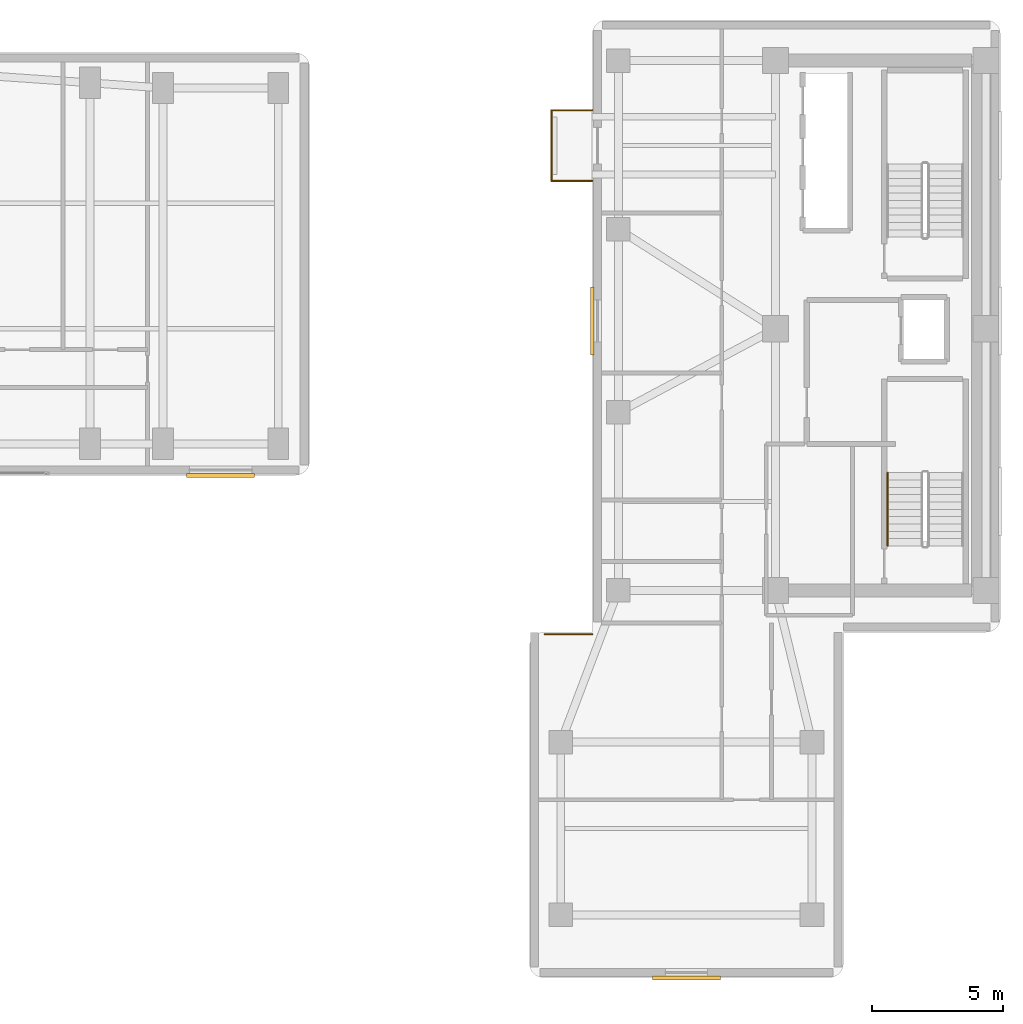
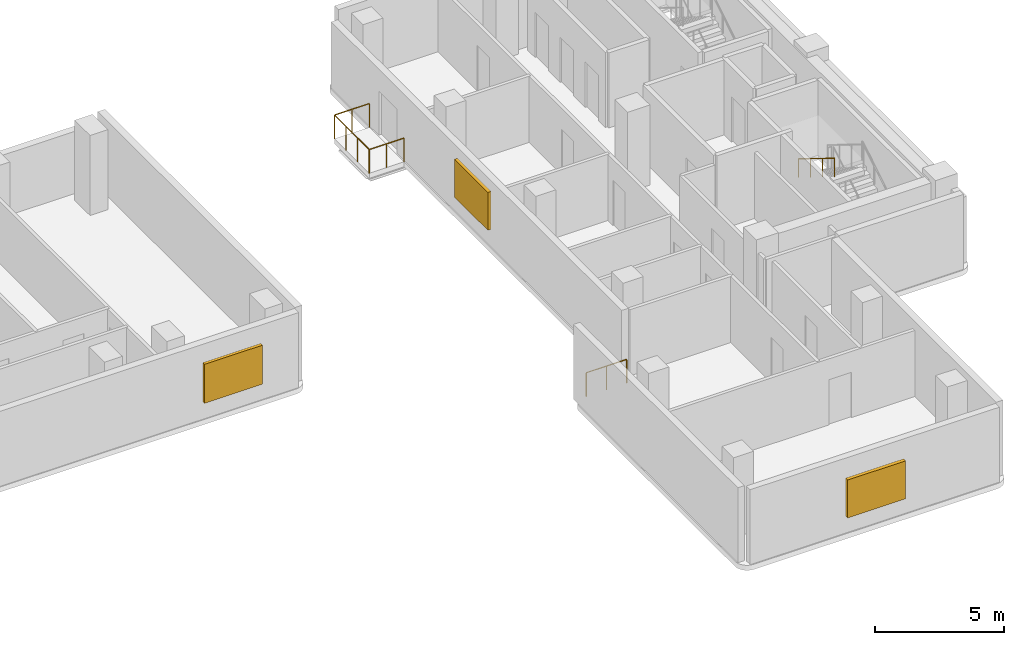
# One storey, part 15 of 16: 5 railings, 3 shading devices.
"""IFC4 building model written with IfcOpenShell, lengths in metres."""

import ifcopenshell
import ifcopenshell.guid

model = None  # the IFC model being written
_history = None  # IfcOwnerHistory: only IFC2X3 demands one
_inside = {}  # id of a spatial element -> (the spatial element, [elements in it])
_under = {}  # id of a project, library or spatial element -> (it, [spatial elements below it])
_declared = {}  # id of a project -> (the project, [libraries it declares])
_typed = {}  # id of a type object -> (the type object, [elements of that type])
_made_of = {}  # id of a material, layer set ... -> (it, [elements and type objects made of it])


def new_model(schema):
    """Start an empty IFC model of exactly this schema.

    Asked for "IFC4X3", IfcOpenShell would pick the latest addendum, in which some entities
    have other attributes; the version numbers below select the first issue.
    IFC2X3 requires an IfcOwnerHistory on every rooted entity: one is made here for all.
    """
    global model, _history
    if schema == "IFC4X3":
        model = ifcopenshell.file(schema_version=(4, 3, 0, 0))
    else:
        model = ifcopenshell.file(schema=schema)
    _inside.clear()
    _under.clear()
    _declared.clear()
    _typed.clear()
    _made_of.clear()
    _history = None
    if model.schema == "IFC2X3":
        org = make("IfcOrganization", Name="unknown")
        user = make(
            "IfcPersonAndOrganization",
            ThePerson=make("IfcPerson", FamilyName="unknown"),
            TheOrganization=org,
        )
        app = make(
            "IfcApplication",
            ApplicationDeveloper=org,
            Version="unknown",
            ApplicationFullName="unknown",
            ApplicationIdentifier="unknown",
        )
        _history = make(
            "IfcOwnerHistory",
            OwningUser=user,
            OwningApplication=app,
            ChangeAction="ADDED",
            CreationDate=0,
        )
    return model


def make(cls, **values):
    """One entity of the class cls with the attributes given. An attribute that is None is left unset."""
    return model.create_entity(
        cls, **{name: value for name, value in values.items() if value is not None}
    )


def rooted(cls, **values):
    """An entity with a GlobalId (a new one), such as an element, a storey or a relation."""
    return make(cls, GlobalId=ifcopenshell.guid.new(), OwnerHistory=_history, **values)


def si_unit(unit_type, name, prefix=None):
    """IfcSIUnit, for example si_unit("LENGTHUNIT", "METRE", prefix="MILLI")."""
    return make("IfcSIUnit", UnitType=unit_type, Prefix=prefix, Name=name)


def assignment(units):
    """IfcUnitAssignment: the units of a project."""
    return None if units is None else make("IfcUnitAssignment", Units=units)


def point(xyz):
    """IfcCartesianPoint."""
    return None if xyz is None else make("IfcCartesianPoint", Coordinates=xyz)


def direction(xyz):
    """IfcDirection."""
    return None if xyz is None else make("IfcDirection", DirectionRatios=xyz)


def frame(location, z_axis=None, x_axis=None):
    """IfcAxis2Placement3D, a coordinate frame: its origin and axes. An axis left out is left unset."""
    return make(
        "IfcAxis2Placement3D",
        Location=point(location),
        Axis=direction(z_axis),
        RefDirection=direction(x_axis),
    )


def frame_2d(location, x_axis=None):
    """IfcAxis2Placement2D, a coordinate frame in the plane: its origin and x axis."""
    return make(
        "IfcAxis2Placement2D", Location=point(location), RefDirection=direction(x_axis)
    )


def origin():
    """The frame at (0, 0, 0) with its axes left unset."""
    return frame((0.0, 0.0, 0.0))


def origin_2d():
    """The frame at (0, 0) in the plane with its x axis left unset."""
    return frame_2d((0.0, 0.0))


def place(relative_to, where):
    """IfcLocalPlacement: puts the frame where relative to a parent placement (None: the world)."""
    return make(
        "IfcLocalPlacement", PlacementRelTo=relative_to, RelativePlacement=where
    )


def context(
    kind, dimensions, precision=None, world=None, true_north=None, identifier=None
):
    """IfcGeometricRepresentationContext, for example the 3D "Model" context."""
    return make(
        "IfcGeometricRepresentationContext",
        ContextIdentifier=identifier,
        ContextType=kind,
        CoordinateSpaceDimension=dimensions,
        Precision=precision,
        WorldCoordinateSystem=world,
        TrueNorth=true_north,
    )


def subcontext(parent, identifier, kind, view, scale=None):
    """IfcGeometricRepresentationSubContext, for example "Body" below "Model"."""
    return make(
        "IfcGeometricRepresentationSubContext",
        ContextIdentifier=identifier,
        ContextType=kind,
        ParentContext=parent,
        TargetScale=scale,
        TargetView=view,
    )


def project(units=None, contexts=None):
    """IfcProject with its units and contexts."""
    return rooted(
        "IfcProject",
        Name="project",
        RepresentationContexts=contexts,
        UnitsInContext=assignment(units),
    )


def spatial(cls, under=None, at=None, **own):
    """A site, building, storey or space (cls), placed at a placement, below another one or the project."""
    s = rooted(cls, ObjectPlacement=at, **own)
    if under is not None:
        _under.setdefault(under.id(), (under, []))[1].append(s)
    return s


def profile(cls, at=None, kind="AREA", **sizes):
    """A parametric profile (cls). Its sizes go by their IFC names, for example OverallWidth=200.0."""
    return make(cls, ProfileType=kind, Position=at, **sizes)


def rectangle(**sizes):
    """IfcRectangleProfileDef."""
    return profile("IfcRectangleProfileDef", **sizes)


def circle(**sizes):
    """IfcCircleProfileDef."""
    return profile("IfcCircleProfileDef", **sizes)


def extrude(swept, where, along, depth):
    """IfcExtrudedAreaSolid: the profile swept, set in the frame where, extruded along a direction by depth."""
    return make(
        "IfcExtrudedAreaSolid",
        SweptArea=swept,
        Position=where,
        ExtrudedDirection=direction(along),
        Depth=depth,
    )


def shape(context_of_items, identifier, shape_type, items):
    """IfcShapeRepresentation: the items that make up one representation, for example the "Body"."""
    return make(
        "IfcShapeRepresentation",
        ContextOfItems=context_of_items,
        RepresentationIdentifier=identifier,
        RepresentationType=shape_type,
        Items=items,
    )


def material(Name=None, Category=None):
    """IfcMaterial."""
    return make("IfcMaterial", Name=Name, Category=Category)


def layer(
    of_material, thickness, ventilated=None, Name=None, Category=None, Priority=None
):
    """IfcMaterialLayer: one layer of a wall or slab, of a material (None: an air gap)."""
    return make(
        "IfcMaterialLayer",
        Material=of_material,
        LayerThickness=thickness,
        IsVentilated=ventilated,
        Name=Name,
        Category=Category,
        Priority=Priority,
    )


def layer_set(layers, Name=None):
    """IfcMaterialLayerSet."""
    return make("IfcMaterialLayerSet", MaterialLayers=layers, LayerSetName=Name)


def made_of(thing, what):
    """Note that an element or type object is made of a material, layer set ...; save() writes the relation."""
    if what is not None:
        _made_of.setdefault(what.id(), (what, []))[1].append(thing)
    return thing


def type_object(cls, material=None, **own):
    """A type object (cls), such as IfcWallType, which elements share."""
    return made_of(rooted(cls, **own), material)


def element(
    cls,
    number,
    at=None,
    inside=None,
    cuts=None,
    type_object=None,
    material=None,
    context=None,
    identifier="Body",
    shape_type=None,
    held_by="IfcProductDefinitionShape",
    body=None,
    shapes=None,
    **own,
):
    """One element of the class cls, such as IfcWall. Its Tag is "e" and its number.

    at: its placement. inside: the storey or other place that contains it. cuts: it is an
    opening in that element (IfcRelVoidsElement). A single representation is given by context,
    identifier, shape_type and body (its items); several are given by shapes. held_by: the class
    of the entity that holds the representations. save() writes the other relations.
    """
    e = rooted(cls, Tag="e%d" % number, ObjectPlacement=at, **own)
    if body is not None:
        shapes = [shape(context, identifier, shape_type, body)]
    if shapes is not None:
        e.Representation = make(held_by, Representations=shapes)
    if inside is not None:
        _inside.setdefault(inside.id(), (inside, []))[1].append(e)
    if cuts is not None:
        rooted(
            "IfcRelVoidsElement", RelatingBuildingElement=cuts, RelatedOpeningElement=e
        )
    if type_object is not None:
        _typed.setdefault(type_object.id(), (type_object, []))[1].append(e)
    return made_of(e, material)


def aggregate(whole, parts):
    """IfcRelAggregates: a whole, such as a stair, and the parts it consists of."""
    return rooted("IfcRelAggregates", RelatingObject=whole, RelatedObjects=parts)


def save(model, path):
    """Write the relations noted so far, then the file.

    IfcRelAggregates (storeys below a building ...), IfcRelContainedInSpatialStructure (elements
    in a storey), IfcRelDefinesByType, IfcRelAssociatesMaterial and IfcRelDeclares: one each for
    every whole, place, type object, material and project.
    """
    for whole, parts in _under.values():
        aggregate(whole, parts)
    for where, things in _inside.values():
        rooted(
            "IfcRelContainedInSpatialStructure",
            RelatedElements=things,
            RelatingStructure=where,
        )
    for kind, things in _typed.values():
        rooted("IfcRelDefinesByType", RelatedObjects=things, RelatingType=kind)
    for what, things in _made_of.values():
        rooted("IfcRelAssociatesMaterial", RelatedObjects=things, RelatingMaterial=what)
    for by, libraries in _declared.values():
        rooted("IfcRelDeclares", RelatingContext=by, RelatedDefinitions=libraries)
    model.write(path)


model = new_model("IFC4")

# Units and contexts
model_context = context("Model", 3, precision=1e-05, world=origin(), true_north=direction((0.0, 1.0)))
body_context = subcontext(model_context, "Body", "Model", "MODEL_VIEW")
ifc_project = project(units=[si_unit("LENGTHUNIT", "METRE"), si_unit("AREAUNIT", "SQUARE_METRE"), si_unit("VOLUMEUNIT", "CUBIC_METRE"), si_unit("PLANEANGLEUNIT", "RADIAN"), si_unit("MASSUNIT", "GRAM", prefix="KILO")], contexts=[model_context])

# Site, building, storey
site_placement = place(None, origin())
site = spatial("IfcSite", under=ifc_project, at=site_placement, CompositionType="ELEMENT")
building_placement = place(site_placement, origin())
building = spatial("IfcBuilding", under=site, at=building_placement, Name="Kuzgunbayir Cultural Tower", CompositionType="ELEMENT")
storey_placement = place(building_placement, frame((0.0, 0.0, 75.60009765625)))
storey = spatial("IfcBuildingStorey", under=building, at=storey_placement, Name="L21", CompositionType="ELEMENT", Elevation=75.60009765625)

# Railings
ifc_material_1 = material(Name="Laminated Glass and Stainless Steel", Category="steel")
ifc_layer_1 = layer(ifc_material_1, 0.080078125)
ifc_layer_set_1 = layer_set([ifc_layer_1], Name="Laminated Glass and Stainless Steel")
railing_type_1 = type_object("IfcRailingType", Name="RLG-BAL-115", PredefinedType="BALUSTRADE", material=ifc_layer_set_1)
railing_1_placement = place(storey_placement, frame((57.60009765625, 37.64990234375, 0.0)))
element("IfcRailing", 1, at=railing_1_placement, inside=storey, type_object=railing_type_1, Name="L21 Companion Balcony Guard BAL-L21-T2W3 Segment 1", PredefinedType="BALUSTRADE", context=body_context, shape_type="SweptSolid", body=[
    extrude(circle(Radius=0.02392578125, at=origin_2d()), frame((0.0, 0.0, 1.1259765625), z_axis=(-1.0, 0.0, 0.0), x_axis=(0.0, -1.0, 0.0)), (0.0, 0.0, 1.0), 1.56005859375),
    extrude(circle(Radius=0.02099609375, at=origin_2d()), origin(), (0.0, 0.0, 1.0), 1.101806640625),
    extrude(circle(Radius=0.02099609375, at=origin_2d()), frame((-0.780029296875, 0.0, 0.0)), (0.0, 0.0, 1.0), 1.101806640625),
    extrude(circle(Radius=0.02099609375, at=origin_2d()), frame((-1.56005859375, 0.0, 0.0)), (0.0, 0.0, 1.0), 1.101806640625),
])
railing_2_placement = place(storey_placement, frame((56.0400390625, 37.64990234375, 0.0)))
element("IfcRailing", 2, at=railing_2_placement, inside=storey, type_object=railing_type_1, Name="L21 Companion Balcony Guard BAL-L21-T2W3 Segment 2", PredefinedType="BALUSTRADE", context=body_context, shape_type="SweptSolid", body=[
    extrude(circle(Radius=0.02392578125, at=origin_2d()), frame((0.0, 0.0, 1.1259765625), z_axis=(0.0, 1.0, 0.0), x_axis=(-1.0, 0.0, 0.0)), (0.0, 0.0, 1.0), 2.7001953125),
    extrude(circle(Radius=0.02099609375, at=origin_2d()), origin(), (0.0, 0.0, 1.0), 1.101806640625),
    extrude(circle(Radius=0.02099609375, at=origin_2d()), frame((0.0, 0.900146484375, 0.0)), (0.0, 0.0, 1.0), 1.101806640625),
    extrude(circle(Radius=0.02099609375, at=origin_2d()), frame((0.0, 1.800048828125, 0.0)), (0.0, 0.0, 1.0), 1.101806640625),
    extrude(circle(Radius=0.02099609375, at=origin_2d()), frame((0.0, 2.7001953125, 0.0)), (0.0, 0.0, 1.0), 1.101806640625),
])
railing_3_placement = place(storey_placement, frame((56.0400390625, 40.35009765625, 0.0)))
element("IfcRailing", 3, at=railing_3_placement, inside=storey, type_object=railing_type_1, Name="L21 Companion Balcony Guard BAL-L21-T2W3 Segment 3", PredefinedType="BALUSTRADE", context=body_context, shape_type="SweptSolid", body=[
    extrude(circle(Radius=0.02392578125, at=origin_2d()), frame((0.0, 0.0, 1.1259765625), z_axis=(1.0, 0.0, 0.0), x_axis=(0.0, 1.0, 0.0)), (0.0, 0.0, 1.0), 1.56005859375),
    extrude(circle(Radius=0.02099609375, at=origin_2d()), origin(), (0.0, 0.0, 1.0), 1.101806640625),
    extrude(circle(Radius=0.02099609375, at=origin_2d()), frame((0.780029296875, 0.0, 0.0)), (0.0, 0.0, 1.0), 1.101806640625),
    extrude(circle(Radius=0.02099609375, at=origin_2d()), frame((1.56005859375, 0.0, 0.0)), (0.0, 0.0, 1.0), 1.101806640625),
])
railing_4_placement = place(storey_placement, frame((55.780029296875, 20.320068359375, 0.0)))
element("IfcRailing", 4, at=railing_4_placement, inside=storey, type_object=railing_type_1, Name="L21 Perimeter Edge Guard 1", PredefinedType="BALUSTRADE", context=body_context, shape_type="SweptSolid", body=[
    extrude(circle(Radius=0.02392578125, at=origin_2d()), frame((0.0, 0.0, 1.1259765625), z_axis=(1.0, 0.0, 0.0), x_axis=(0.0, 1.0, 0.0)), (0.0, 0.0, 1.0), 1.820068359375),
    extrude(circle(Radius=0.02099609375, at=origin_2d()), origin(), (0.0, 0.0, 1.0), 1.101806640625),
    extrude(circle(Radius=0.02099609375, at=origin_2d()), frame((0.91015625, 0.0, 0.0)), (0.0, 0.0, 1.0), 1.101806640625),
    extrude(circle(Radius=0.02099609375, at=origin_2d()), frame((1.820068359375, 0.0, 0.0)), (0.0, 0.0, 1.0), 1.101806640625),
])
ifc_material_2 = material(Name="Brushed Stainless Steel", Category="steel")
ifc_layer_2 = layer(ifc_material_2, 0.050048828125)
ifc_layer_set_2 = layer_set([ifc_layer_2], Name="Brushed Stainless Steel")
railing_type_2 = type_object("IfcRailingType", Name="RLG-STAIR-HANDRAIL", PredefinedType="HANDRAIL", material=ifc_layer_set_2)
railing_5_placement = place(storey_placement, frame((68.889892578125, 26.5, 2.072509765625)))
element("IfcRailing", 5, at=railing_5_placement, inside=storey, type_object=railing_type_2, Name="L21 ST-3 stair handrail 2", PredefinedType="HANDRAIL", context=body_context, shape_type="SweptSolid", body=[
    extrude(circle(Radius=0.02392578125, at=origin_2d()), frame((0.0, 0.0, 0.8759765625), z_axis=(0.0, -0.851089632645, 0.525020415988), x_axis=(1.0, 0.0, 0.0)), (0.0, 0.0, 1.0), 3.2900390625),
    extrude(circle(Radius=0.02099609375, at=origin_2d()), origin(), (0.0, 0.0, 1.0), 0.851806640625),
    extrude(circle(Radius=0.02099609375, at=origin_2d()), frame((0.0, -0.933349609375, 0.57568359375)), (0.0, 0.0, 1.0), 0.851806640625),
    extrude(circle(Radius=0.02099609375, at=origin_2d()), frame((0.0, -1.86669921875, 1.151611328125)), (0.0, 0.0, 1.0), 0.851806640625),
    extrude(circle(Radius=0.02099609375, at=origin_2d()), frame((0.0, -2.800048828125, 1.727294921875)), (0.0, 0.0, 1.0), 0.851806640625),
])

# Shading devices
ifc_material_3 = material(Name="Perforated Bronze-Anodised Aluminium", Category="aluminium")
shading_device_type_1 = type_object("IfcShadingDeviceType", Name="SHD-SOLAR-BRONZE", PredefinedType="JALOUSIE", material=ifc_material_3)
shading_device_1_placement = place(storey_placement, frame((43.39990234375, 26.389892578125, 0.824951171875), z_axis=(0.0, 0.0, 1.0), x_axis=(1.0, 0.0, 0.0)))
element("IfcShadingDevice", 6, at=shading_device_1_placement, inside=storey, type_object=shading_device_type_1, Name="L21 Solar Screen WBS10", PredefinedType="JALOUSIE", context=body_context, shape_type="SweptSolid", body=[
    extrude(rectangle(XDim=2.60009765625, YDim=0.139892578125, at=origin_2d()), origin(), (0.0, 0.0, 1.0), 1.85009765625),
])
shading_device_2_placement = place(storey_placement, frame((57.60009765625, 32.300048828125, 0.7998046875), z_axis=(0.0, 0.0, 1.0), x_axis=(1.0, 0.0, 0.0)))
element("IfcShadingDevice", 7, at=shading_device_2_placement, inside=storey, type_object=shading_device_type_1, Name="L21 Companion Bronze Solar Screen 32", PredefinedType="JALOUSIE", context=body_context, shape_type="SweptSolid", body=[
    extrude(rectangle(XDim=0.139892578125, YDim=2.60009765625, at=origin_2d()), origin(), (0.0, 0.0, 1.0), 1.800048828125),
])
ifc_material_4 = material(Name="Warm Terracotta Ceramic Baguette", Category="masonry")
shading_device_type_2 = type_object("IfcShadingDeviceType", Name="SHD-SOLAR-CERAMIC", PredefinedType="SHUTTER", material=ifc_material_4)
shading_device_3_placement = place(storey_placement, frame((61.199951171875, 7.18994140625, 0.7998046875), z_axis=(0.0, 0.0, 1.0), x_axis=(1.0, 0.0, 0.0)))
element("IfcShadingDevice", 8, at=shading_device_3_placement, inside=storey, type_object=shading_device_type_2, Name="L21 Companion Ceramic Solar Screen S1", PredefinedType="SHUTTER", context=body_context, shape_type="SweptSolid", body=[
    extrude(rectangle(XDim=2.60009765625, YDim=0.159912109375, at=origin_2d()), origin(), (0.0, 0.0, 1.0), 1.800048828125),
])

save(model, "model.ifc")
